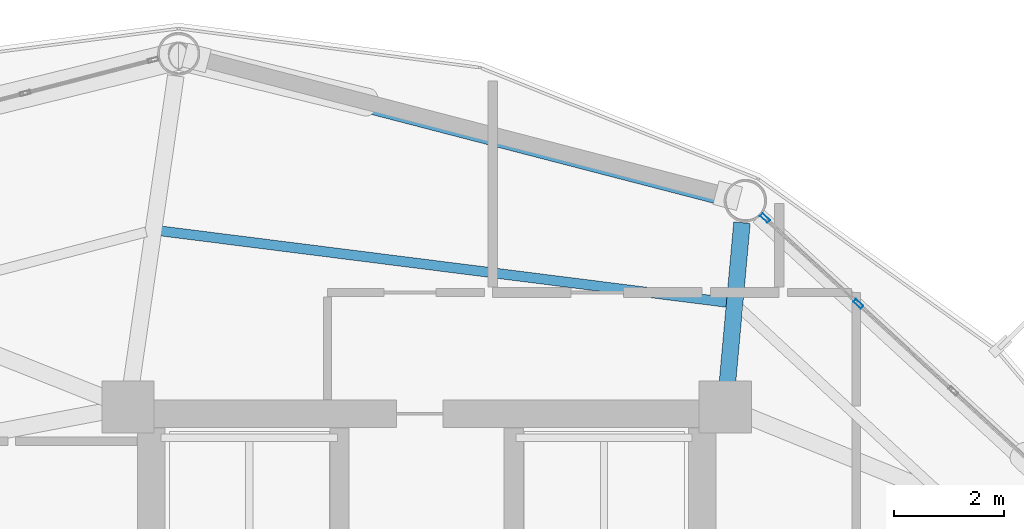
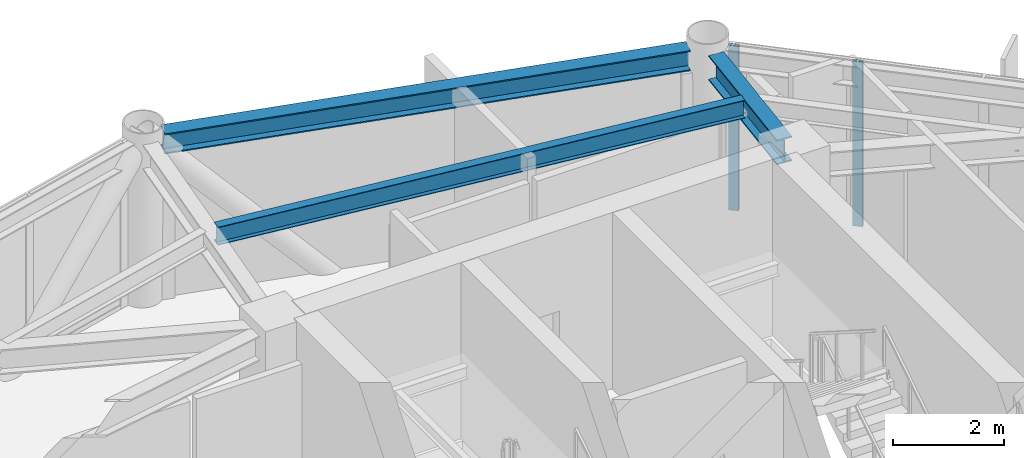
# One storey, part 19 of 26: 3 beams, 2 members, 1 element without a shape of its own.
"""IFC4 building model written with IfcOpenShell, lengths in metres."""

from ifc_helpers import new_model, si_unit, direction, frame, origin, origin_2d, place, context, subcontext, project, spatial, hollow_rectangle, i_section, extrude, material, layer, layer_set, material_profile, profile_set, type_object, element, aggregate, save


model = new_model("IFC4")

# Units and contexts
model_context = context("Model", 3, precision=1e-05, world=origin(), true_north=direction((0.0, 1.0)))
body_context = subcontext(model_context, "Body", "Model", "MODEL_VIEW")
ifc_project = project(units=[si_unit("LENGTHUNIT", "METRE"), si_unit("AREAUNIT", "SQUARE_METRE"), si_unit("VOLUMEUNIT", "CUBIC_METRE"), si_unit("PLANEANGLEUNIT", "RADIAN"), si_unit("MASSUNIT", "GRAM", prefix="KILO")], contexts=[model_context])

# Site, building, storey
site_placement = place(None, origin())
site = spatial("IfcSite", under=ifc_project, at=site_placement, CompositionType="ELEMENT")
building_placement = place(site_placement, origin())
building = spatial("IfcBuilding", under=site, at=building_placement, Name="Varnakorn Sky Granary", CompositionType="ELEMENT")
storey_placement = place(building_placement, frame((0.0, 0.0, 153.89990234375)))
storey = spatial("IfcBuildingStorey", under=building, at=storey_placement, Name="L38", CompositionType="ELEMENT", Elevation=153.89990234375)

# Beams
ifc_material_1 = material(Name="Steel S355JR", Category="steel")
ifc_material_profile_1 = material_profile(ifc_material_1, i_section(OverallWidth=0.300048828125, OverallDepth=0.550048828125, WebThickness=0.014892578125, FlangeThickness=0.029052734375, at=origin_2d()), Name="HE 550 B")
ifc_profile_set_1 = profile_set([ifc_material_profile_1], Name="Steel S355JR")
beam_type_1 = type_object("IfcBeamType", Name="BM-RAD-Z3", PredefinedType="BEAM", material=ifc_profile_set_1)
beam_1_placement = place(storey_placement, frame((8.4580078125, 13.038330078125, 3.364990234375), z_axis=(0.090573172347, 0.995889803367, 0.0), x_axis=(-0.995889803367, 0.090573172347, 0.0)))
element("IfcBeam", 1, at=beam_1_placement, inside=storey, type_object=beam_type_1, Name="Radial Floor Girder RG03 L38", PredefinedType="BEAM", context=body_context, shape_type="SweptSolid", body=[
    extrude(i_section(OverallWidth=0.300048828125, OverallDepth=0.550048828125, WebThickness=0.014892578125, FlangeThickness=0.029052734375, at=origin_2d()), origin(), (0.0, 0.0, 1.0), 2.94091796875),
])
ifc_material_profile_2 = material_profile(ifc_material_1, i_section(OverallWidth=0.179931640625, OverallDepth=0.39990234375, WebThickness=0.008544921875, FlangeThickness=0.013427734375, at=origin_2d()), Name="IPE 400")
ifc_profile_set_2 = profile_set([ifc_material_profile_2], Name="Steel S355JR")
beam_type_2 = type_object("IfcBeamType", Name="BM-SEC-Z3", PredefinedType="BEAM", material=ifc_profile_set_2)
beam_2_placement = place(storey_placement, frame((8.452392578125, 14.520263671875, 3.440185546875), z_axis=(-0.992138278839, 0.125146456853, 0.0), x_axis=(-0.125146456853, -0.992138278839, 0.0)))
element("IfcBeam", 2, at=beam_2_placement, inside=storey, type_object=beam_type_2, Name="Secondary Floor Chord Beam MSB03 L38", PredefinedType="BEAM", context=body_context, shape_type="SweptSolid", body=[
    extrude(i_section(OverallWidth=0.179931640625, OverallDepth=0.39990234375, WebThickness=0.008544921875, FlangeThickness=0.013427734375, at=origin_2d()), origin(), (0.0, 0.0, 1.0), 10.35107421875),
])
ifc_material_profile_3 = material_profile(ifc_material_1, i_section(OverallWidth=0.300048828125, OverallDepth=0.449951171875, WebThickness=0.013916015625, FlangeThickness=0.02587890625, at=origin_2d()), Name="HE 450 B")
ifc_profile_set_3 = profile_set([ifc_material_profile_3], Name="Steel S355JR")
beam_type_3 = type_object("IfcBeamType", Name="BM-SPD-Z3", PredefinedType="SPANDREL", material=ifc_profile_set_3)
beam_3_placement = place(storey_placement, frame((8.4033203125, 16.42333984375, 3.4150390625), z_axis=(-0.967945219838, 0.251161405061, 0.0), x_axis=(-0.251161405061, -0.967945219838, 0.0)))
element("IfcBeam", 3, at=beam_3_placement, inside=storey, type_object=beam_type_3, Name="Perimeter Spandrel Ring Beam RB03 L38", PredefinedType="SPANDREL", context=body_context, shape_type="SweptSolid", body=[
    extrude(i_section(OverallWidth=0.300048828125, OverallDepth=0.449951171875, WebThickness=0.013916015625, FlangeThickness=0.02587890625, at=origin_2d()), origin(), (0.0, 0.0, 1.0), 9.865234375),
])

# Curtain wall, members
ifc_material_2 = material(Name="Anodised Bronze Aluminium Alloy 6063-T6", Category="aluminium")
ifc_layer = layer(ifc_material_2, 0.179931640625, Name="Anodised Bronze Aluminium Alloy 6063-T6")
ifc_layer_set = layer_set([ifc_layer], Name="Anodised Bronze Aluminium Alloy 6063-T6")
curtain_wall_type = type_object("IfcCurtainWallType", Name="CW-FRM-2", PredefinedType="USERDEFINED", material=ifc_layer_set)
curtain_wall_placement = place(storey_placement, origin())
curtain_wall = element("IfcCurtainWall", 4, at=curtain_wall_placement, inside=storey, type_object=curtain_wall_type, Name="Unitised Curtain Wall CW4 CW-L38-B02", ObjectType="CURTAIN WALL", PredefinedType="USERDEFINED")
ifc_material_profile_4 = material_profile(ifc_material_2, hollow_rectangle(XDim=0.070068359375, YDim=0.18505859375, WallThickness=0.00390625, at=origin_2d()), Name="ALU MULL 70x185")
ifc_profile_set_4 = profile_set([ifc_material_profile_4], Name="Anodised Bronze Aluminium Alloy 6063-T6")
member_type = type_object("IfcMemberType", Name="CW-FRM-2-MULL", PredefinedType="MULLION", material=ifc_profile_set_4)
member_1_placement = place(storey_placement, frame((9.1416015625, 16.05029296875, 0.0), z_axis=(0.0, 0.0, 1.0), x_axis=(0.676471797865, 0.736468537477, 0.0)))
member_1 = element("IfcMember", 5, at=member_1_placement, type_object=member_type, Name="CW4 mullion 1", PredefinedType="MULLION", context=body_context, shape_type="SweptSolid", body=[
    extrude(hollow_rectangle(XDim=0.070068359375, YDim=0.18505859375, WallThickness=0.00390625, at=origin_2d()), origin(), (0.0, 0.0, 1.0), 3.64013671875),
])
member_2_placement = place(storey_placement, frame((10.836669921875, 14.4931640625, 0.0), z_axis=(0.0, 0.0, 1.0), x_axis=(0.676471797865, 0.736468537477, 0.0)))
member_2 = element("IfcMember", 6, at=member_2_placement, type_object=member_type, Name="CW4 mullion 2", PredefinedType="MULLION", context=body_context, shape_type="SweptSolid", body=[
    extrude(hollow_rectangle(XDim=0.070068359375, YDim=0.18505859375, WallThickness=0.00390625, at=origin_2d()), origin(), (0.0, 0.0, 1.0), 3.64013671875),
])
aggregate(curtain_wall, [member_1, member_2])

save(model, "model.ifc")
